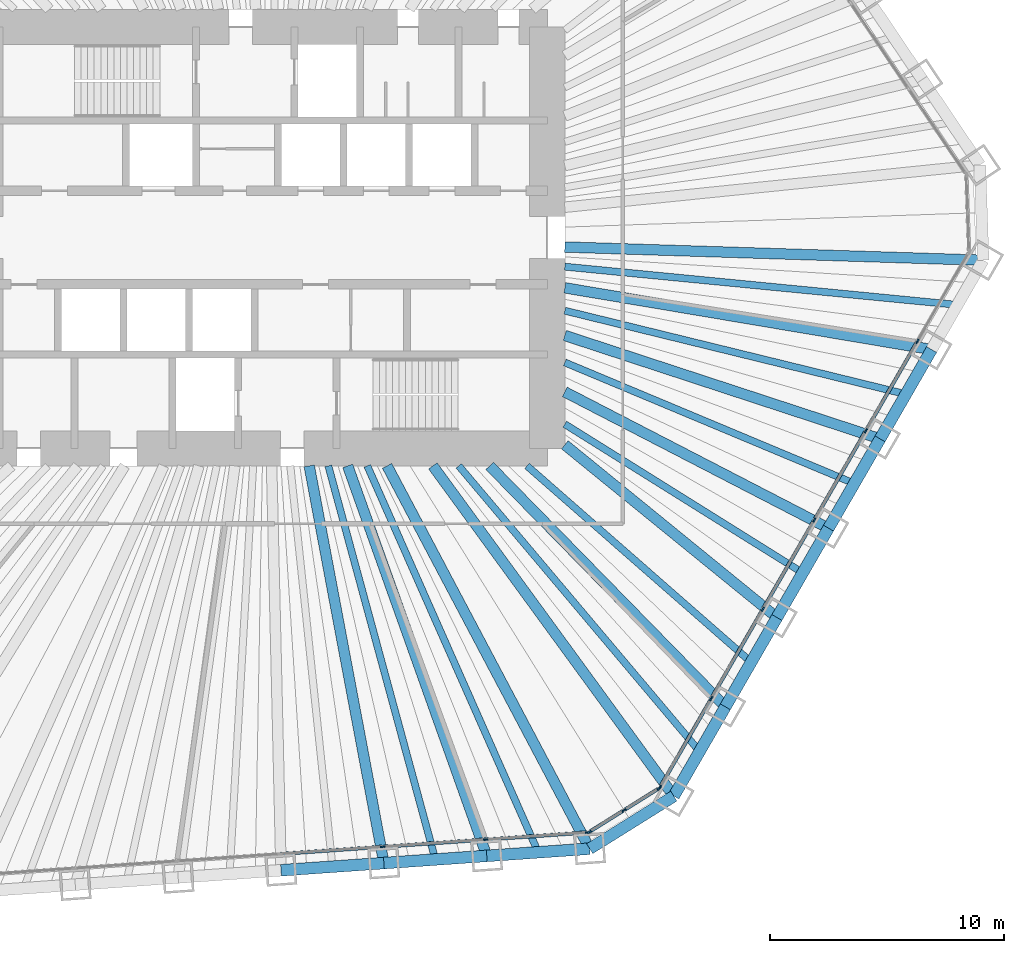
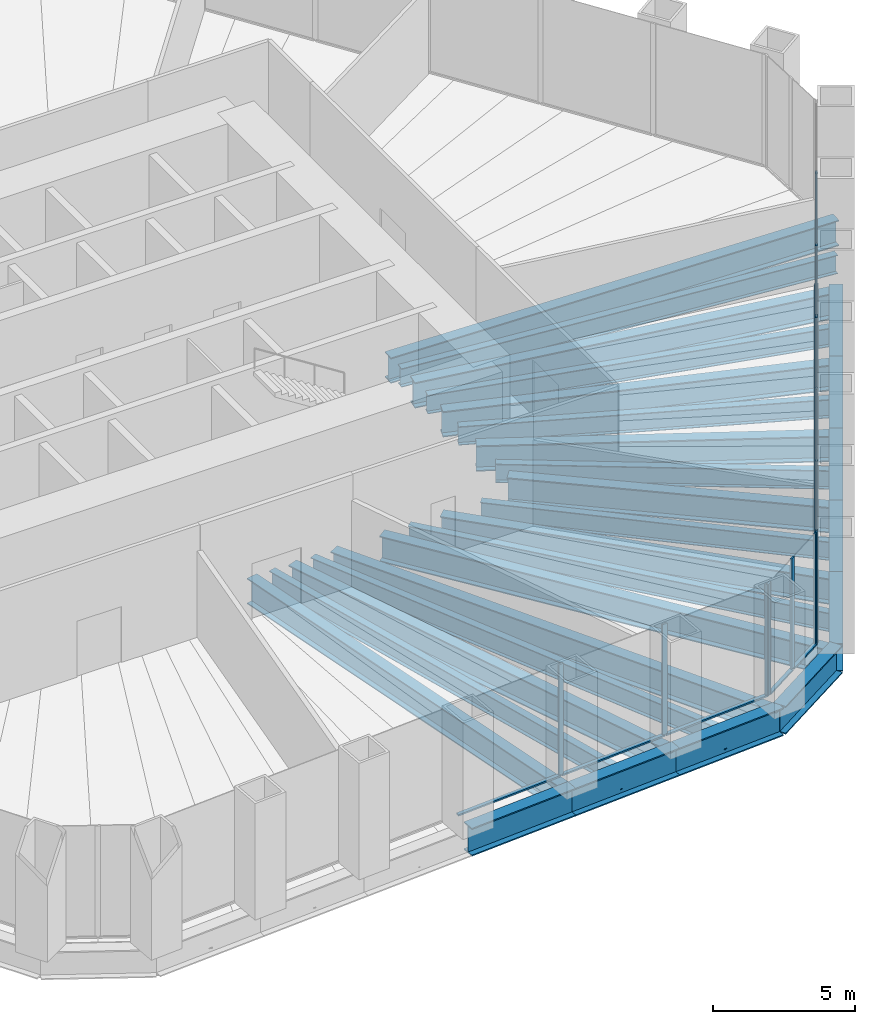
# One storey, part 4 of 13: 27 beams, 22 members, 3 elements without a shape of their own.
"""IFC4 building model written with IfcOpenShell, lengths in metres."""

from ifc_helpers import new_model, si_unit, direction, frame, origin, origin_2d, place, context, subcontext, project, spatial, rectangle, i_section, extrude, material, material_profile, profile_set, type_object, element, aggregate, save


model = new_model("IFC4")

# Units and contexts
model_context = context("Model", 3, precision=1e-05, world=origin(), true_north=direction((0.0, 1.0)))
body_context = subcontext(model_context, "Body", "Model", "MODEL_VIEW")
ifc_project = project(units=[si_unit("LENGTHUNIT", "METRE"), si_unit("AREAUNIT", "SQUARE_METRE"), si_unit("VOLUMEUNIT", "CUBIC_METRE"), si_unit("PLANEANGLEUNIT", "RADIAN"), si_unit("MASSUNIT", "GRAM", prefix="KILO")], contexts=[model_context])

# Site, building, storey
site_placement = place(None, origin())
site = spatial("IfcSite", under=ifc_project, at=site_placement, CompositionType="ELEMENT")
building_placement = place(site_placement, origin())
building = spatial("IfcBuilding", under=site, at=building_placement, Name="Qingtian Harvest Tower", CompositionType="ELEMENT")
storey_placement = place(building_placement, frame((0.0, 0.0, 87.0)))
storey = spatial("IfcBuildingStorey", under=building, at=storey_placement, Name="L17", CompositionType="ELEMENT", Elevation=87.0)

# Beams
ifc_material_1 = material(Name="Steel SM570MC", Category="steel")
ifc_material_profile_1 = material_profile(ifc_material_1, i_section(OverallWidth=0.449951171875, OverallDepth=1.10009765625, WebThickness=0.02197265625, FlangeThickness=0.044921875, at=origin_2d()), Name="H1100x450x22x45")
ifc_profile_set_1 = profile_set([ifc_material_profile_1], Name="Steel SM570MC")
beam_type_1 = type_object("IfcBeamType", Name="Corner floor beam FB8 H1100x450x22x45", PredefinedType="BEAM", material=ifc_profile_set_1)
beam_1_placement = place(storey_placement, frame((30.618408203125, -0.96728515625, -0.75), z_axis=(-0.999501426546, 0.031573696842, 0.0), x_axis=(-0.031573696842, -0.999501426546, 0.0)))
element("IfcBeam", 1, at=beam_1_placement, inside=storey, type_object=beam_type_1, Name="Floor beam FB8 SE0", PredefinedType="BEAM", context=body_context, shape_type="SweptSolid", body=[
    extrude(i_section(OverallWidth=0.449951171875, OverallDepth=1.10009765625, WebThickness=0.02197265625, FlangeThickness=0.044921875, at=origin_2d()), origin(), (0.0, 0.0, 1.0), 17.87744140625),
])
beam_2_placement = place(storey_placement, frame((17.404541015625, -23.854248046875, -0.75), z_axis=(-0.58941234871, 0.807832336062, 0.0), x_axis=(-0.807832336062, -0.58941234871, 0.0)))
element("IfcBeam", 2, at=beam_2_placement, inside=storey, type_object=beam_type_1, Name="Floor beam FB8 SE6", PredefinedType="BEAM", context=body_context, shape_type="SweptSolid", body=[
    extrude(i_section(OverallWidth=0.449951171875, OverallDepth=1.10009765625, WebThickness=0.02197265625, FlangeThickness=0.044921875, at=origin_2d()), origin(), (0.0, 0.0, 1.0), 17.45947265625),
])
beam_3_placement = place(storey_placement, frame((13.810546875, -26.10009765625, -0.75), z_axis=(-0.467705182679, 0.883884529843, 0.0), x_axis=(-0.883884529843, -0.467705182679, 0.0)))
element("IfcBeam", 3, at=beam_3_placement, inside=storey, type_object=beam_type_1, Name="Floor beam FB8 S0", PredefinedType="BEAM", context=body_context, shape_type="SweptSolid", body=[
    extrude(i_section(OverallWidth=0.449951171875, OverallDepth=1.10009765625, WebThickness=0.02197265625, FlangeThickness=0.044921875, at=origin_2d()), origin(), (0.0, 0.0, 1.0), 18.498046875),
])
ifc_material_2 = material(Name="Steel SM570MC", Category="steel")
ifc_material_profile_2 = material_profile(ifc_material_2, i_section(OverallWidth=0.449951171875, OverallDepth=1.10009765625, WebThickness=0.02197265625, FlangeThickness=0.044921875, at=origin_2d()), Name="H1100x450x22x45")
ifc_profile_set_2 = profile_set([ifc_material_profile_2], Name="Steel SM570MC")
beam_type_2 = type_object("IfcBeamType", Name="Floor beam FB1 H1100x450x22x45", PredefinedType="BEAM", material=ifc_profile_set_2)
beam_4_placement = place(storey_placement, frame((28.416015625, -4.78173828125, -0.75), z_axis=(-0.986135195489, 0.16594389479, 0.0), x_axis=(-0.16594389479, -0.986135195489, 0.0)))
element("IfcBeam", 4, at=beam_4_placement, inside=storey, type_object=beam_type_2, Name="Floor beam FB1 SE1", PredefinedType="BEAM", context=body_context, shape_type="SweptSolid", body=[
    extrude(i_section(OverallWidth=0.449951171875, OverallDepth=1.10009765625, WebThickness=0.02197265625, FlangeThickness=0.044921875, at=origin_2d()), origin(), (0.0, 0.0, 1.0), 15.88623046875),
])
beam_5_placement = place(storey_placement, frame((26.2138671875, -8.596435546875, -0.75), z_axis=(-0.950210724421, 0.311608053803, 0.0), x_axis=(-0.311608053803, -0.950210724421, 0.0)))
element("IfcBeam", 5, at=beam_5_placement, inside=storey, type_object=beam_type_2, Name="Floor beam FB1 SE2", PredefinedType="BEAM", context=body_context, shape_type="SweptSolid", body=[
    extrude(i_section(OverallWidth=0.449951171875, OverallDepth=1.10009765625, WebThickness=0.02197265625, FlangeThickness=0.044921875, at=origin_2d()), origin(), (0.0, 0.0, 1.0), 14.16943359375),
])
beam_6_placement = place(storey_placement, frame((24.011474609375, -12.410888671875, -0.75), z_axis=(-0.888349581519, 0.45916774823, 0.0), x_axis=(-0.45916774823, -0.888349581519, 0.0)))
element("IfcBeam", 6, at=beam_6_placement, inside=storey, type_object=beam_type_2, Name="Floor beam FB1 SE3", PredefinedType="BEAM", context=body_context, shape_type="SweptSolid", body=[
    extrude(i_section(OverallWidth=0.449951171875, OverallDepth=1.10009765625, WebThickness=0.02197265625, FlangeThickness=0.044921875, at=origin_2d()), origin(), (0.0, 0.0, 1.0), 12.6767578125),
])
beam_7_placement = place(storey_placement, frame((21.809326171875, -16.225341796875, -0.75), z_axis=(-0.775504415669, 0.631342142802, 0.0), x_axis=(-0.631342142802, -0.775504415669, 0.0)))
element("IfcBeam", 7, at=beam_7_placement, inside=storey, type_object=beam_type_2, Name="Floor beam FB1 SE4", PredefinedType="BEAM", context=body_context, shape_type="SweptSolid", body=[
    extrude(i_section(OverallWidth=0.449951171875, OverallDepth=1.10009765625, WebThickness=0.02197265625, FlangeThickness=0.044921875, at=origin_2d()), origin(), (0.0, 0.0, 1.0), 11.681884765625),
])
beam_8_placement = place(storey_placement, frame((19.60693359375, -20.039794921875, -0.75), z_axis=(-0.699348221539, 0.714781130858, 0.0), x_axis=(-0.714781130858, -0.699348221539, 0.0)))
element("IfcBeam", 8, at=beam_8_placement, inside=storey, type_object=beam_type_2, Name="Floor beam FB1 SE5", PredefinedType="BEAM", context=body_context, shape_type="SweptSolid", body=[
    extrude(i_section(OverallWidth=0.449951171875, OverallDepth=1.10009765625, WebThickness=0.02197265625, FlangeThickness=0.044921875, at=origin_2d()), origin(), (0.0, 0.0, 1.0), 14.395751953125),
])
beam_9_placement = place(storey_placement, frame((9.41650390625, -26.407470703125, -0.75), z_axis=(-0.33586498155, 0.941910141239, 0.0), x_axis=(-0.941910141239, -0.33586498155, 0.0)))
element("IfcBeam", 9, at=beam_9_placement, inside=storey, type_object=beam_type_2, Name="Floor beam FB1 S1", PredefinedType="BEAM", context=body_context, shape_type="SweptSolid", body=[
    extrude(i_section(OverallWidth=0.449951171875, OverallDepth=1.10009765625, WebThickness=0.02197265625, FlangeThickness=0.044921875, at=origin_2d()), origin(), (0.0, 0.0, 1.0), 17.684814453125),
])
beam_10_placement = place(storey_placement, frame((5.022705078125, -26.714599609375, -0.75), z_axis=(-0.184782942099, 0.98277935688, 0.0), x_axis=(-0.98277935688, -0.184782942099, 0.0)))
element("IfcBeam", 10, at=beam_10_placement, inside=storey, type_object=beam_type_2, Name="Floor beam FB1 S2", PredefinedType="BEAM", context=body_context, shape_type="SweptSolid", body=[
    extrude(i_section(OverallWidth=0.449951171875, OverallDepth=1.10009765625, WebThickness=0.02197265625, FlangeThickness=0.044921875, at=origin_2d()), origin(), (0.0, 0.0, 1.0), 17.261962890625),
])
ifc_material_3 = material(Name="Steel SN490B", Category="steel")
ifc_material_profile_3 = material_profile(ifc_material_3, i_section(OverallWidth=0.300048828125, OverallDepth=0.800048828125, WebThickness=0.013916015625, FlangeThickness=0.02587890625, at=origin_2d()), Name="H800x300x14x26")
ifc_profile_set_3 = profile_set([ifc_material_profile_3], Name="Steel SN490B")
beam_type_3 = type_object("IfcBeamType", Name="Floor joist J1 H800x300x14x26", PredefinedType="JOIST", material=ifc_profile_set_3)
beam_11_placement = place(storey_placement, frame((29.517333984375, -2.87451171875, -0.60009765625), z_axis=(-0.995291970786, 0.096922097011, 0.0), x_axis=(-0.096922097011, -0.995291970786, 0.0)))
element("IfcBeam", 11, at=beam_11_placement, inside=storey, type_object=beam_type_3, Name="Floor joist J1 SE0", PredefinedType="JOIST", context=body_context, shape_type="SweptSolid", body=[
    extrude(i_section(OverallWidth=0.300048828125, OverallDepth=0.800048828125, WebThickness=0.013916015625, FlangeThickness=0.02587890625, at=origin_2d()), origin(), (0.0, 0.0, 1.0), 16.8466796875),
])
beam_12_placement = place(storey_placement, frame((27.31494140625, -6.68896484375, -0.60009765625), z_axis=(-0.971301533706, 0.237851488583, 0.0), x_axis=(-0.237851488583, -0.971301533706, 0.0)))
element("IfcBeam", 12, at=beam_12_placement, inside=storey, type_object=beam_type_3, Name="Floor joist J1 SE1", PredefinedType="JOIST", context=body_context, shape_type="SweptSolid", body=[
    extrude(i_section(OverallWidth=0.300048828125, OverallDepth=0.800048828125, WebThickness=0.013916015625, FlangeThickness=0.02587890625, at=origin_2d()), origin(), (0.0, 0.0, 1.0), 14.995361328125),
])
beam_13_placement = place(storey_placement, frame((25.112548828125, -10.503662109375, -0.60009765625), z_axis=(-0.922550516103, 0.385876334125, 0.0), x_axis=(-0.385876334125, -0.922550516103, 0.0)))
element("IfcBeam", 13, at=beam_13_placement, inside=storey, type_object=beam_type_3, Name="Floor joist J1 SE2", PredefinedType="JOIST", context=body_context, shape_type="SweptSolid", body=[
    extrude(i_section(OverallWidth=0.300048828125, OverallDepth=0.800048828125, WebThickness=0.013916015625, FlangeThickness=0.02587890625, at=origin_2d()), origin(), (0.0, 0.0, 1.0), 13.400390625),
])
beam_14_placement = place(storey_placement, frame((22.910400390625, -14.318115234375, -0.60009765625), z_axis=(-0.848013185461, 0.52997512893, 0.0), x_axis=(-0.52997512893, -0.848013185461, 0.0)))
element("IfcBeam", 14, at=beam_14_placement, inside=storey, type_object=beam_type_3, Name="Floor joist J1 SE3", PredefinedType="JOIST", context=body_context, shape_type="SweptSolid", body=[
    extrude(i_section(OverallWidth=0.300048828125, OverallDepth=0.800048828125, WebThickness=0.013916015625, FlangeThickness=0.02587890625, at=origin_2d()), origin(), (0.0, 0.0, 1.0), 11.9814453125),
])
beam_15_placement = place(storey_placement, frame((20.7080078125, -18.132568359375, -0.60009765625), z_axis=(-0.75234369212, 0.658770801514, 0.0), x_axis=(-0.658770801514, -0.75234369212, 0.0)))
element("IfcBeam", 15, at=beam_15_placement, inside=storey, type_object=beam_type_3, Name="Floor joist J1 SE4", PredefinedType="JOIST", context=body_context, shape_type="SweptSolid", body=[
    extrude(i_section(OverallWidth=0.300048828125, OverallDepth=0.800048828125, WebThickness=0.013916015625, FlangeThickness=0.02587890625, at=origin_2d()), origin(), (0.0, 0.0, 1.0), 12.724609375),
])
beam_16_placement = place(storey_placement, frame((18.505859375, -21.947021484375, -0.60009765625), z_axis=(-0.644630398038, 0.76449437534, 0.0), x_axis=(-0.76449437534, -0.644630398038, 0.0)))
element("IfcBeam", 16, at=beam_16_placement, inside=storey, type_object=beam_type_3, Name="Floor joist J1 SE5", PredefinedType="JOIST", context=body_context, shape_type="SweptSolid", body=[
    extrude(i_section(OverallWidth=0.300048828125, OverallDepth=0.800048828125, WebThickness=0.013916015625, FlangeThickness=0.02587890625, at=origin_2d()), origin(), (0.0, 0.0, 1.0), 15.954345703125),
])
beam_17_placement = place(storey_placement, frame((11.613525390625, -26.25390625, -0.60009765625), z_axis=(-0.404539958959, 0.914520323233, 0.0), x_axis=(-0.914520323233, -0.404539958959, 0.0)))
element("IfcBeam", 17, at=beam_17_placement, inside=storey, type_object=beam_type_3, Name="Floor joist J1 S0", PredefinedType="JOIST", context=body_context, shape_type="SweptSolid", body=[
    extrude(i_section(OverallWidth=0.300048828125, OverallDepth=0.800048828125, WebThickness=0.013916015625, FlangeThickness=0.02587890625, at=origin_2d()), origin(), (0.0, 0.0, 1.0), 18.046630859375),
])
beam_18_placement = place(storey_placement, frame((7.2197265625, -26.56103515625, -0.60009765625), z_axis=(-0.262302659247, 0.964985655309, 0.0), x_axis=(-0.964985655309, -0.262302659247, 0.0)))
element("IfcBeam", 18, at=beam_18_placement, inside=storey, type_object=beam_type_3, Name="Floor joist J1 S1", PredefinedType="JOIST", context=body_context, shape_type="SweptSolid", body=[
    extrude(i_section(OverallWidth=0.300048828125, OverallDepth=0.800048828125, WebThickness=0.013916015625, FlangeThickness=0.02587890625, at=origin_2d()), origin(), (0.0, 0.0, 1.0), 17.421142578125),
])

# Curtain wall, members
ifc_material_4 = material(Name="Bronze-anodised aluminium curtain wall", Category="aluminium")
curtain_wall_type = type_object("IfcCurtainWallType", Name="Curtain wall CW2 farm reception", PredefinedType="USERDEFINED", material=ifc_material_4)
curtain_wall_1_placement = place(storey_placement, origin())
curtain_wall_1 = element("IfcCurtainWall", 19, at=curtain_wall_1_placement, inside=storey, type_object=curtain_wall_type, Name="Curtain wall CW2 L17 SE0-5", ObjectType="RECESSED CURTAIN WALL", PredefinedType="USERDEFINED")
ifc_material_5 = material(Name="Bronze-anodised aluminium mullion", Category="aluminium")
ifc_material_profile_4 = material_profile(ifc_material_5, rectangle(XDim=0.06494140625, YDim=0.199951171875, at=origin_2d()), Name="AL 65x200")
ifc_profile_set_4 = profile_set([ifc_material_profile_4], Name="Bronze-anodised aluminium mullion")
member_type_1 = type_object("IfcMemberType", Name="Mullion CWM 65x200", PredefinedType="MULLION", material=ifc_profile_set_4)
member_1_placement = place(storey_placement, frame((27.809814453125, -4.431884765625, 0.0), z_axis=(0.0, 0.0, 1.0), x_axis=(0.866025403784, -0.5, 0.0)))
member_1 = element("IfcMember", 20, at=member_1_placement, type_object=member_type_1, Name="CW2 mullion 2", PredefinedType="MULLION", context=body_context, shape_type="SweptSolid", body=[
    extrude(rectangle(XDim=0.06494140625, YDim=0.199951171875, at=origin_2d()), origin(), (0.0, 0.0, 1.0), 4.800048828125),
])
member_2_placement = place(storey_placement, frame((25.607666015625, -8.246337890625, 0.0), z_axis=(0.0, 0.0, 1.0), x_axis=(0.866025403784, -0.5, 0.0)))
member_2 = element("IfcMember", 21, at=member_2_placement, type_object=member_type_1, Name="CW2 mullion 3", PredefinedType="MULLION", context=body_context, shape_type="SweptSolid", body=[
    extrude(rectangle(XDim=0.06494140625, YDim=0.199951171875, at=origin_2d()), origin(), (0.0, 0.0, 1.0), 4.800048828125),
])
member_3_placement = place(storey_placement, frame((23.4052734375, -12.060791015625, 0.0), z_axis=(0.0, 0.0, 1.0), x_axis=(0.866025403784, -0.5, 0.0)))
member_3 = element("IfcMember", 22, at=member_3_placement, type_object=member_type_1, Name="CW2 mullion 4", PredefinedType="MULLION", context=body_context, shape_type="SweptSolid", body=[
    extrude(rectangle(XDim=0.06494140625, YDim=0.199951171875, at=origin_2d()), origin(), (0.0, 0.0, 1.0), 4.800048828125),
])
member_4_placement = place(storey_placement, frame((21.202880859375, -15.875244140625, 0.0), z_axis=(0.0, 0.0, 1.0), x_axis=(0.866025403784, -0.5, 0.0)))
member_4 = element("IfcMember", 23, at=member_4_placement, type_object=member_type_1, Name="CW2 mullion 5", PredefinedType="MULLION", context=body_context, shape_type="SweptSolid", body=[
    extrude(rectangle(XDim=0.06494140625, YDim=0.199951171875, at=origin_2d()), origin(), (0.0, 0.0, 1.0), 4.800048828125),
])
member_5_placement = place(storey_placement, frame((19.000732421875, -19.68994140625, 0.0), z_axis=(0.0, 0.0, 1.0), x_axis=(0.866025403784, -0.5, 0.0)))
member_5 = element("IfcMember", 24, at=member_5_placement, type_object=member_type_1, Name="CW2 mullion 6", PredefinedType="MULLION", context=body_context, shape_type="SweptSolid", body=[
    extrude(rectangle(XDim=0.06494140625, YDim=0.199951171875, at=origin_2d()), origin(), (0.0, 0.0, 1.0), 4.800048828125),
])
member_6_placement = place(storey_placement, frame((16.814697265625, -23.47607421875, 0.0), z_axis=(0.0, 0.0, 1.0), x_axis=(0.866025403784, -0.5, 0.0)))
member_6 = element("IfcMember", 25, at=member_6_placement, type_object=member_type_1, Name="CW2 mullion 7", PredefinedType="MULLION", context=body_context, shape_type="SweptSolid", body=[
    extrude(rectangle(XDim=0.06494140625, YDim=0.199951171875, at=origin_2d()), origin(), (0.0, 0.0, 1.0), 4.800048828125),
])

curtain_wall_2_placement = place(storey_placement, origin())
curtain_wall_2 = element("IfcCurtainWall", 26, at=curtain_wall_2_placement, inside=storey, type_object=curtain_wall_type, Name="Curtain wall CW2 L17 SEC", ObjectType="RECESSED CURTAIN WALL", PredefinedType="USERDEFINED")
member_7_placement = place(storey_placement, frame((16.770751953125, -23.521484375, 0.0), z_axis=(0.0, 0.0, 1.0), x_axis=(0.529919264233, -0.848048096156, 0.0)))
member_7 = element("IfcMember", 27, at=member_7_placement, type_object=member_type_1, Name="CW2 mullion 1", PredefinedType="MULLION", context=body_context, shape_type="SweptSolid", body=[
    extrude(rectangle(XDim=0.06494140625, YDim=0.199951171875, at=origin_2d()), origin(), (0.0, 0.0, 1.0), 4.800048828125),
])
member_8_placement = place(storey_placement, frame((15.280029296875, -24.453125, 0.0), z_axis=(0.0, 0.0, 1.0), x_axis=(0.529919264233, -0.848048096156, 0.0)))
member_8 = element("IfcMember", 28, at=member_8_placement, type_object=member_type_1, Name="CW2 mullion 2", PredefinedType="MULLION", context=body_context, shape_type="SweptSolid", body=[
    extrude(rectangle(XDim=0.06494140625, YDim=0.199951171875, at=origin_2d()), origin(), (0.0, 0.0, 1.0), 4.800048828125),
])
member_9_placement = place(storey_placement, frame((13.789306640625, -25.384765625, 0.0), z_axis=(0.0, 0.0, 1.0), x_axis=(0.529919264233, -0.848048096156, 0.0)))
member_9 = element("IfcMember", 29, at=member_9_placement, type_object=member_type_1, Name="CW2 mullion 3", PredefinedType="MULLION", context=body_context, shape_type="SweptSolid", body=[
    extrude(rectangle(XDim=0.06494140625, YDim=0.199951171875, at=origin_2d()), origin(), (0.0, 0.0, 1.0), 4.800048828125),
])

curtain_wall_3_placement = place(storey_placement, origin())
curtain_wall_3 = element("IfcCurtainWall", 30, at=curtain_wall_3_placement, inside=storey, type_object=curtain_wall_type, Name="Curtain wall CW2 L17 S0-5", ObjectType="RECESSED CURTAIN WALL", PredefinedType="USERDEFINED")
member_10_placement = place(storey_placement, frame((13.729248046875, -25.404296875, 0.0), z_axis=(0.0, 0.0, 1.0), x_axis=(0.069756473744, -0.99756405026, 0.0)))
member_10 = element("IfcMember", 31, at=member_10_placement, type_object=member_type_1, Name="CW2 mullion 1", PredefinedType="MULLION", context=body_context, shape_type="SweptSolid", body=[
    extrude(rectangle(XDim=0.06494140625, YDim=0.199951171875, at=origin_2d()), origin(), (0.0, 0.0, 1.0), 4.800048828125),
])
member_11_placement = place(storey_placement, frame((9.36767578125, -25.709228515625, 0.0), z_axis=(0.0, 0.0, 1.0), x_axis=(0.069756473744, -0.99756405026, 0.0)))
member_11 = element("IfcMember", 32, at=member_11_placement, type_object=member_type_1, Name="CW2 mullion 2", PredefinedType="MULLION", context=body_context, shape_type="SweptSolid", body=[
    extrude(rectangle(XDim=0.06494140625, YDim=0.199951171875, at=origin_2d()), origin(), (0.0, 0.0, 1.0), 4.800048828125),
])
member_12_placement = place(storey_placement, frame((4.973876953125, -26.016357421875, 0.0), z_axis=(0.0, 0.0, 1.0), x_axis=(0.069756473744, -0.99756405026, 0.0)))
member_12 = element("IfcMember", 33, at=member_12_placement, type_object=member_type_1, Name="CW2 mullion 3", PredefinedType="MULLION", context=body_context, shape_type="SweptSolid", body=[
    extrude(rectangle(XDim=0.06494140625, YDim=0.199951171875, at=origin_2d()), origin(), (0.0, 0.0, 1.0), 4.800048828125),
])

# Beams
ifc_material_6 = material(Name="Steel SM570MC", Category="steel")
ifc_material_profile_5 = material_profile(ifc_material_6, i_section(OverallWidth=0.5, OverallDepth=1.199951171875, WebThickness=0.02490234375, FlangeThickness=0.050048828125, at=origin_2d()), Name="H1200x500x25x50")
ifc_profile_set_5 = profile_set([ifc_material_profile_5], Name="Steel SM570MC")
beam_type_4 = type_object("IfcBeamType", Name="Spandrel beam SB1 H1200x500x25x50", PredefinedType="SPANDREL", material=ifc_profile_set_5)
beam_19_placement = place(storey_placement, frame((28.416015625, -4.78173828125, -0.60009765625), z_axis=(-0.499954356739, -0.86605175433, 0.0), x_axis=(0.86605175433, -0.499954356739, 0.0)))
element("IfcBeam", 34, at=beam_19_placement, inside=storey, type_object=beam_type_4, Name="Spandrel SB1 SE1", PredefinedType="SPANDREL", context=body_context, shape_type="SweptSolid", body=[
    extrude(i_section(OverallWidth=0.5, OverallDepth=1.199951171875, WebThickness=0.02490234375, FlangeThickness=0.050048828125, at=origin_2d()), origin(), (0.0, 0.0, 1.0), 4.40478515625),
])
for number, where, z_axis, x_axis, name in (
    (35, (26.2138671875, -8.596435546875, -0.60009765625), (-0.50001992892, -0.866013897511, 0.0), (0.866013897511, -0.50001992892, 0.0), "Spandrel SB1 SE2"),
    (36, (24.011474609375, -12.410888671875, -0.60009765625), (-0.499978356969, -0.866037899034, 0.0), (0.866037899034, -0.499978356969, 0.0), "Spandrel SB1 SE3"),
    (37, (21.809326171875, -16.225341796875, -0.60009765625), (-0.50001992892, -0.866013897511, 0.0), (0.866013897511, -0.50001992892, 0.0), "Spandrel SB1 SE4"),
    (38, (19.60693359375, -20.039794921875, -0.60009765625), (-0.50001992892, -0.866013897511, 0.0), (0.866013897511, -0.50001992892, 0.0), "Spandrel SB1 SE5"),
):
    element("IfcBeam", number, at=place(storey_placement, frame(where, z_axis=z_axis, x_axis=x_axis)), inside=storey, type_object=beam_type_4, Name=name, PredefinedType="SPANDREL", context=body_context, shape_type="SweptSolid", body=[
        extrude(i_section(OverallWidth=0.5, OverallDepth=1.199951171875, WebThickness=0.02490234375, FlangeThickness=0.050048828125, at=origin_2d()), origin(), (0.0, 0.0, 1.0), 4.404541015625),
    ])
beam_20_placement = place(storey_placement, frame((17.404541015625, -23.854248046875, -0.60009765625), z_axis=(-0.848040374245, -0.529931621675, 0.0), x_axis=(0.529931621675, -0.848040374245, 0.0)))
element("IfcBeam", 39, at=beam_20_placement, inside=storey, type_object=beam_type_4, Name="Spandrel SB1 SEC", PredefinedType="SPANDREL", context=body_context, shape_type="SweptSolid", body=[
    extrude(i_section(OverallWidth=0.5, OverallDepth=1.199951171875, WebThickness=0.02490234375, FlangeThickness=0.050048828125, at=origin_2d()), origin(), (0.0, 0.0, 1.0), 4.238037109375),
])
beam_21_placement = place(storey_placement, frame((13.810546875, -26.10009765625, -0.60009765625), z_axis=(-0.997562286406, -0.069781693443, 0.0), x_axis=(0.069781693443, -0.997562286406, 0.0)))
element("IfcBeam", 40, at=beam_21_placement, inside=storey, type_object=beam_type_4, Name="Spandrel SB1 S0", PredefinedType="SPANDREL", context=body_context, shape_type="SweptSolid", body=[
    extrude(i_section(OverallWidth=0.5, OverallDepth=1.199951171875, WebThickness=0.02490234375, FlangeThickness=0.050048828125, at=origin_2d()), origin(), (0.0, 0.0, 1.0), 4.40478515625),
])
for number, where, z_axis, x_axis, name in (
    (41, (9.41650390625, -26.407470703125, -0.60009765625), (-0.997565873714, -0.069730392239, 0.0), (0.069730392239, -0.997565873714, 0.0), "Spandrel SB1 S1"),
    (42, (5.022705078125, -26.714599609375, -0.60009765625), (-0.997562016486, -0.069785551967, 0.0), (0.069785551967, -0.997562016486, 0.0), "Spandrel SB1 S2"),
):
    element("IfcBeam", number, at=place(storey_placement, frame(where, z_axis=z_axis, x_axis=x_axis)), inside=storey, type_object=beam_type_4, Name=name, PredefinedType="SPANDREL", context=body_context, shape_type="SweptSolid", body=[
        extrude(i_section(OverallWidth=0.5, OverallDepth=1.199951171875, WebThickness=0.02490234375, FlangeThickness=0.050048828125, at=origin_2d()), origin(), (0.0, 0.0, 1.0), 4.404541015625),
    ])

# Member
ifc_material_7 = material(Name="Bronze-anodised aluminium transom", Category="aluminium")
ifc_material_profile_6 = material_profile(ifc_material_7, rectangle(XDim=0.14990234375, YDim=0.06494140625, at=origin_2d()), Name="AL 65x150")
ifc_profile_set_6 = profile_set([ifc_material_profile_6], Name="Bronze-anodised aluminium transom")
member_type_2 = type_object("IfcMemberType", Name="Transom CWT 65x150", PredefinedType="USERDEFINED", material=ifc_profile_set_6)
member_13_placement = place(storey_placement, frame((27.793701171875, -4.4599609375, 0.032470703125), z_axis=(-0.500011390128, -0.866018827591, 0.0), x_axis=(0.866018827591, -0.500011390128, 0.0)))
member_13 = element("IfcMember", 43, at=member_13_placement, type_object=member_type_2, Name="CW2 transom 2.1", ObjectType="TRANSOM", PredefinedType="USERDEFINED", context=body_context, shape_type="SweptSolid", body=[
    extrude(rectangle(XDim=0.14990234375, YDim=0.06494140625, at=origin_2d()), origin(), (0.0, 0.0, 1.0), 4.33984375),
])

member_14_placement = place(storey_placement, frame((25.59130859375, -8.2744140625, 0.032470703125), z_axis=(-0.499969196308, -0.866043187574, 0.0), x_axis=(0.866043187574, -0.499969196308, 0.0)))
member_14 = element("IfcMember", 44, at=member_14_placement, type_object=member_type_2, Name="CW2 transom 3.1", ObjectType="TRANSOM", PredefinedType="USERDEFINED", context=body_context, shape_type="SweptSolid", body=[
    extrude(rectangle(XDim=0.14990234375, YDim=0.06494140625, at=origin_2d()), origin(), (0.0, 0.0, 1.0), 4.339599609375),
])

member_15_placement = place(storey_placement, frame((23.38916015625, -12.0888671875, 0.032470703125), z_axis=(-0.500011390128, -0.866018827591, 0.0), x_axis=(0.866018827591, -0.500011390128, 0.0)))
member_15 = element("IfcMember", 45, at=member_15_placement, type_object=member_type_2, Name="CW2 transom 4.1", ObjectType="TRANSOM", PredefinedType="USERDEFINED", context=body_context, shape_type="SweptSolid", body=[
    extrude(rectangle(XDim=0.14990234375, YDim=0.06494140625, at=origin_2d()), origin(), (0.0, 0.0, 1.0), 4.33984375),
])

member_16_placement = place(storey_placement, frame((21.186767578125, -15.903564453125, 0.032470703125), z_axis=(-0.500035751442, -0.866004761696, 0.0), x_axis=(0.866004761696, -0.500035751442, 0.0)))
member_16 = element("IfcMember", 46, at=member_16_placement, type_object=member_type_2, Name="CW2 transom 5.1", ObjectType="TRANSOM", PredefinedType="USERDEFINED", context=body_context, shape_type="SweptSolid", body=[
    extrude(rectangle(XDim=0.14990234375, YDim=0.06494140625, at=origin_2d()), origin(), (0.0, 0.0, 1.0), 4.339599609375),
])

member_17_placement = place(storey_placement, frame((18.984375, -19.718017578125, 0.032470703125), z_axis=(-0.500010313095, -0.866019449435, 0.0), x_axis=(0.866019449435, -0.500010313095, 0.0)))
member_17 = element("IfcMember", 47, at=member_17_placement, type_object=member_type_2, Name="CW2 transom 6.1", ObjectType="TRANSOM", PredefinedType="USERDEFINED", context=body_context, shape_type="SweptSolid", body=[
    extrude(rectangle(XDim=0.14990234375, YDim=0.06494140625, at=origin_2d()), origin(), (0.0, 0.0, 1.0), 4.30712890625),
])

aggregate(curtain_wall_1, [member_1, member_2, member_3, member_4, member_5, member_6, member_13, member_14, member_15, member_16, member_17])

member_18_placement = place(storey_placement, frame((16.7431640625, -23.538818359375, 0.032470703125), z_axis=(-0.848063119425, -0.529895221219, 0.0), x_axis=(0.529895221219, -0.848063119425, 0.0)))
member_18 = element("IfcMember", 48, at=member_18_placement, type_object=member_type_2, Name="CW2 transom 1.1", ObjectType="TRANSOM", PredefinedType="USERDEFINED", context=body_context, shape_type="SweptSolid", body=[
    extrude(rectangle(XDim=0.14990234375, YDim=0.06494140625, at=origin_2d()), origin(), (0.0, 0.0, 1.0), 1.692626953125),
])

member_19_placement = place(storey_placement, frame((15.25244140625, -24.470458984375, 0.032470703125), z_axis=(-0.848103609743, -0.529830413568, 0.0), x_axis=(0.529830413568, -0.848103609743, 0.0)))
member_19 = element("IfcMember", 49, at=member_19_placement, type_object=member_type_2, Name="CW2 transom 2.1", ObjectType="TRANSOM", PredefinedType="USERDEFINED", context=body_context, shape_type="SweptSolid", body=[
    extrude(rectangle(XDim=0.14990234375, YDim=0.06494140625, at=origin_2d()), origin(), (0.0, 0.0, 1.0), 1.69287109375),
])

aggregate(curtain_wall_2, [member_7, member_8, member_9, member_18, member_19])

member_20_placement = place(storey_placement, frame((13.69677734375, -25.406494140625, 0.032470703125), z_axis=(-0.997566581753, -0.069720262262, 0.0), x_axis=(0.069720262262, -0.997566581753, 0.0)))
member_20 = element("IfcMember", 50, at=member_20_placement, type_object=member_type_2, Name="CW2 transom 1.1", ObjectType="TRANSOM", PredefinedType="USERDEFINED", context=body_context, shape_type="SweptSolid", body=[
    extrude(rectangle(XDim=0.14990234375, YDim=0.06494140625, at=origin_2d()), origin(), (0.0, 0.0, 1.0), 4.30712890625),
])

member_21_placement = place(storey_placement, frame((9.33544921875, -25.71142578125, 0.032470703125), z_axis=(-0.997563824095, -0.069759707979, 0.0), x_axis=(0.069759707979, -0.997563824095, 0.0)))
member_21 = element("IfcMember", 51, at=member_21_placement, type_object=member_type_2, Name="CW2 transom 2.1", ObjectType="TRANSOM", PredefinedType="USERDEFINED", context=body_context, shape_type="SweptSolid", body=[
    extrude(rectangle(XDim=0.14990234375, YDim=0.06494140625, at=origin_2d()), origin(), (0.0, 0.0, 1.0), 4.339599609375),
])

member_22_placement = place(storey_placement, frame((4.94140625, -26.018798828125, 0.032470703125), z_axis=(-0.997567737508, -0.069703723594, 0.0), x_axis=(0.069703723594, -0.997567737508, 0.0)))
member_22 = element("IfcMember", 52, at=member_22_placement, type_object=member_type_2, Name="CW2 transom 3.1", ObjectType="TRANSOM", PredefinedType="USERDEFINED", context=body_context, shape_type="SweptSolid", body=[
    extrude(rectangle(XDim=0.14990234375, YDim=0.06494140625, at=origin_2d()), origin(), (0.0, 0.0, 1.0), 4.339599609375),
])

aggregate(curtain_wall_3, [member_10, member_11, member_12, member_20, member_21, member_22])

save(model, "model.ifc")
